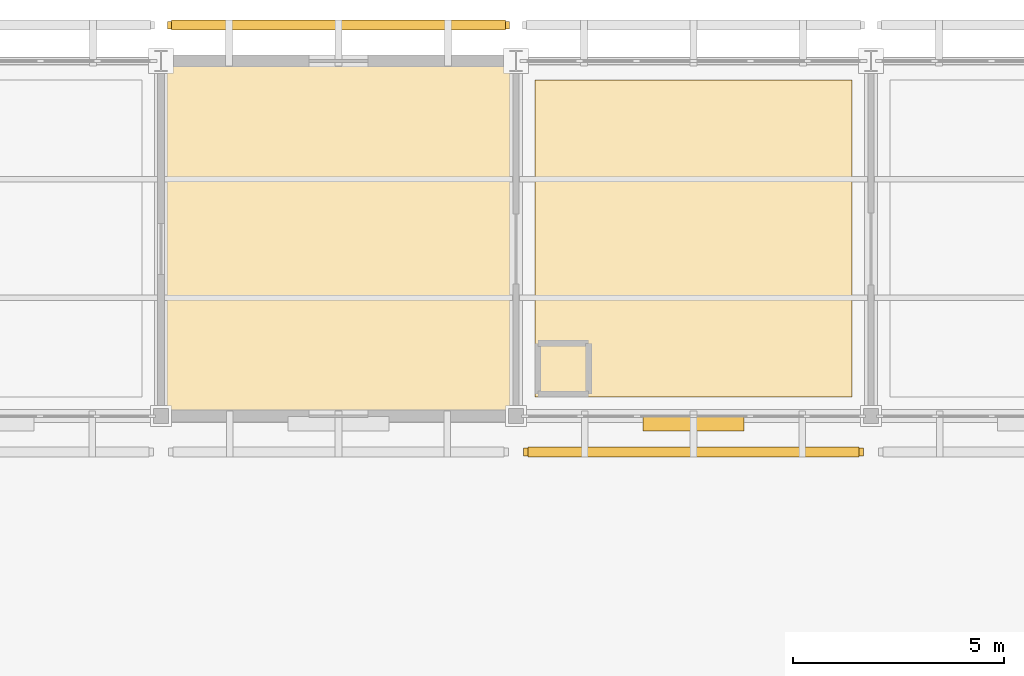
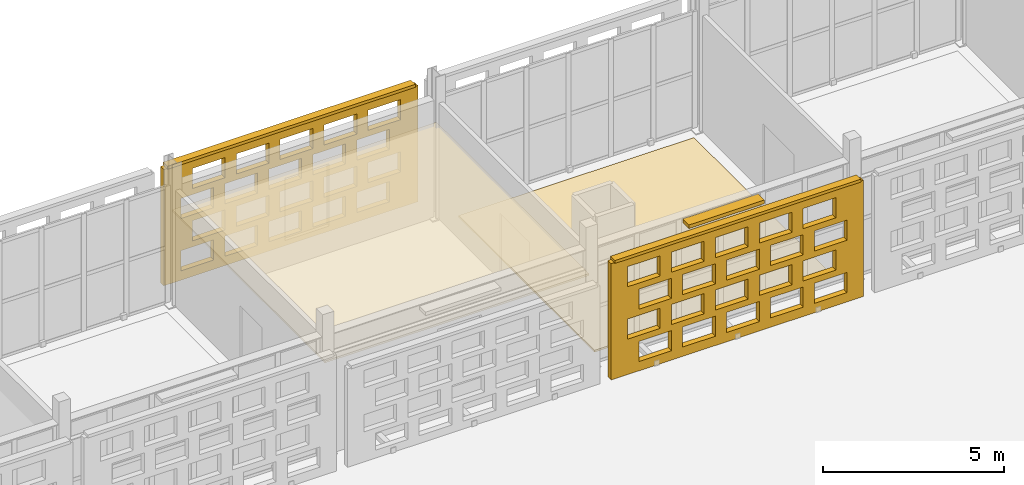
# One storey, part 179 of 203: 4 coverings, 3 shading devices, 40 openings.
"""IFC4 building model written with IfcOpenShell, lengths in metres."""

from ifc_helpers import new_model, si_unit, direction, frame, frame_2d, origin, origin_2d, place, context, subcontext, project, spatial, rectangle, extrude, material, layer, layer_set, type_object, element, save


model = new_model("IFC4")

# Units and contexts
model_context = context("Model", 3, precision=1e-05, world=origin(), true_north=direction((0.0, 1.0)))
body_context = subcontext(model_context, "Body", "Model", "MODEL_VIEW")
ifc_project = project(units=[si_unit("LENGTHUNIT", "METRE"), si_unit("AREAUNIT", "SQUARE_METRE"), si_unit("VOLUMEUNIT", "CUBIC_METRE"), si_unit("PLANEANGLEUNIT", "RADIAN"), si_unit("MASSUNIT", "GRAM", prefix="KILO")], contexts=[model_context])

# Site, building, storey
site_placement = place(None, origin())
site = spatial("IfcSite", under=ifc_project, at=site_placement, CompositionType="ELEMENT")
building_placement = place(site_placement, origin())
building = spatial("IfcBuilding", under=site, at=building_placement, Name="Varnapada Polytechnic", CompositionType="ELEMENT")
storey_placement = place(building_placement, frame((0.0, 0.0, 4.800048828125)))
storey = spatial("IfcBuildingStorey", under=building, at=storey_placement, Name="L01", CompositionType="ELEMENT", Elevation=4.800048828125)

# Covering
ifc_material_1 = material(Name="Anti-Static Raised Laboratory Flooring")
ifc_layer_1 = layer(ifc_material_1, 0.06005859375)
ifc_layer_set_1 = layer_set([ifc_layer_1], Name="Anti-Static Raised Laboratory Flooring")
covering_type_1 = type_object("IfcCoveringType", Name="Floor Finish FLR-02", PredefinedType="FLOORING", material=ifc_layer_set_1)
covering_1_placement = place(storey_placement, frame((105.0, 121.800048828125, 0.0), z_axis=(0.0, 0.0, 1.0), x_axis=(1.0, 0.0, 0.0)))
element("IfcCovering", 1, at=covering_1_placement, inside=storey, type_object=covering_type_1, Name="L01 floor finish panel (13,15)", PredefinedType="FLOORING", context=body_context, shape_type="SweptSolid", body=[
    extrude(rectangle(XDim=7.5, YDim=7.5, at=origin_2d()), origin(), (0.0, 0.0, 1.0), 0.06005859375),
])

# Shading device
ifc_material_2 = material(Name="Anodised aluminium", Category="aluminium")
ifc_layer_2 = layer(ifc_material_2, 0.35009765625)
ifc_layer_set_2 = layer_set([ifc_layer_2], Name="Anodised aluminium")
shading_device_type_1 = type_object("IfcShadingDeviceType", Name="Solar Louvre LVR-01", PredefinedType="JALOUSIE", material=ifc_layer_set_2)
shading_device_1_placement = place(storey_placement, frame((105.0, 117.419921875, 3.760009765625), z_axis=(0.0, 0.0, 1.0), x_axis=(-1.0, 0.0, 0.0)))
element("IfcShadingDevice", 2, at=shading_device_1_placement, inside=storey, type_object=shading_device_type_1, Name="L01 aluminium sun louvre 88", PredefinedType="JALOUSIE", context=body_context, shape_type="SweptSolid", body=[
    extrude(rectangle(XDim=2.39990234375, YDim=0.340087890625, at=origin_2d()), origin(), (0.0, 0.0, 1.0), 0.1201171875),
])

# Covering
ifc_material_3 = material(Name="Deep Acoustic Auditorium Cloud Baffle")
ifc_layer_3 = layer(ifc_material_3, 0.06494140625)
ifc_layer_set_3 = layer_set([ifc_layer_3], Name="Deep Acoustic Auditorium Cloud Baffle")
covering_type_2 = type_object("IfcCoveringType", Name="Suspended Ceiling CLG-07", PredefinedType="CEILING", material=ifc_layer_set_3)
covering_2_placement = place(storey_placement, frame((96.60009765625, 121.800048828125, 3.017578125), z_axis=(0.0, 0.0, 1.0), x_axis=(1.0, 0.0, 0.0)))
element("IfcCovering", 3, at=covering_2_placement, inside=storey, type_object=covering_type_2, Name="L01 suspended acoustic ceiling (12,15)", PredefinedType="CEILING", context=body_context, shape_type="SweptSolid", body=[
    extrude(rectangle(XDim=8.419921875, YDim=8.419921875, at=origin_2d()), origin(), (0.0, 0.0, 1.0), 0.06494140625),
])

# Covering, openings
ifc_material_4 = material(Name="Earth-toned architectural terracotta screen block", Category="masonry")
ifc_layer_4 = layer(ifc_material_4, 0.1201171875)
ifc_layer_set_4 = layer_set([ifc_layer_4], Name="Earth-toned architectural terracotta screen block")
covering_type_3 = type_object("IfcCoveringType", Name="Terracotta Screen Cladding CLD-01", PredefinedType="CLADDING", material=ifc_layer_set_4)
covering_3_placement = place(storey_placement, frame((92.550048828125, 126.85009765625, 0.0), z_axis=(0.0, 0.0, 1.0), x_axis=(1.0, 0.0, 0.0)))
covering_3 = element("IfcCovering", 4, at=covering_3_placement, inside=storey, type_object=covering_type_3, Name="L01 perforated terracotta block screen (83)", PredefinedType="CLADDING", context=body_context, shape_type="SweptSolid", body=[
    extrude(rectangle(XDim=8.099853515625, YDim=0.179931640625, at=frame_2d((4.0498046875, 0.0))), origin(), (0.0, 0.0, 1.0), 3.919921875),
])
opening_1_placement = place(covering_3_placement, frame((0.550048828125, 0.0, 0.313720703125)))
element("IfcOpeningElement", 5, at=opening_1_placement, cuts=covering_3, Name="Screen perforation TBS-L01-082.1", PredefinedType="OPENING", context=body_context, shape_type="SweptSolid", body=[
    extrude(rectangle(XDim=1.0400390625, YDim=0.679931640625, at=frame_2d((0.52001953125, 0.33984375))), frame((0.0, 0.099853515625, 0.0), z_axis=(0.0, -1.0, 0.0), x_axis=(1.0, 0.0, 0.0)), (0.0, 0.0, 1.0), 0.199951171875),
])
opening_2_placement = place(covering_3_placement, frame((1.949951171875, 0.0, 0.313720703125)))
element("IfcOpeningElement", 6, at=opening_2_placement, cuts=covering_3, Name="Screen perforation TBS-L01-082.2", PredefinedType="OPENING", context=body_context, shape_type="SweptSolid", body=[
    extrude(rectangle(XDim=1.0400390625, YDim=0.679931640625, at=frame_2d((0.52001953125, 0.33984375))), frame((0.0, 0.099853515625, 0.0), z_axis=(0.0, -1.0, 0.0), x_axis=(1.0, 0.0, 0.0)), (0.0, 0.0, 1.0), 0.199951171875),
])
opening_3_placement = place(covering_3_placement, frame((3.35009765625, 0.0, 0.313720703125)))
element("IfcOpeningElement", 7, at=opening_3_placement, cuts=covering_3, Name="Screen perforation TBS-L01-082.3", PredefinedType="OPENING", context=body_context, shape_type="SweptSolid", body=[
    extrude(rectangle(XDim=1.0400390625, YDim=0.679931640625, at=frame_2d((0.52001953125, 0.33984375))), frame((0.0, 0.099853515625, 0.0), z_axis=(0.0, -1.0, 0.0), x_axis=(1.0, 0.0, 0.0)), (0.0, 0.0, 1.0), 0.199951171875),
])
opening_4_placement = place(covering_3_placement, frame((4.75, 0.0, 0.313720703125)))
element("IfcOpeningElement", 8, at=opening_4_placement, cuts=covering_3, Name="Screen perforation TBS-L01-082.4", PredefinedType="OPENING", context=body_context, shape_type="SweptSolid", body=[
    extrude(rectangle(XDim=1.0400390625, YDim=0.679931640625, at=frame_2d((0.52001953125, 0.33984375))), frame((0.0, 0.099853515625, 0.0), z_axis=(0.0, -1.0, 0.0), x_axis=(1.0, 0.0, 0.0)), (0.0, 0.0, 1.0), 0.199951171875),
])
opening_5_placement = place(covering_3_placement, frame((6.14990234375, 0.0, 0.313720703125)))
element("IfcOpeningElement", 9, at=opening_5_placement, cuts=covering_3, Name="Screen perforation TBS-L01-082.5", PredefinedType="OPENING", context=body_context, shape_type="SweptSolid", body=[
    extrude(rectangle(XDim=1.0400390625, YDim=0.679931640625, at=frame_2d((0.52001953125, 0.33984375))), frame((0.0, 0.099853515625, 0.0), z_axis=(0.0, -1.0, 0.0), x_axis=(1.0, 0.0, 0.0)), (0.0, 0.0, 1.0), 0.199951171875),
])
opening_6_placement = place(covering_3_placement, frame((0.909912109375, 0.0, 1.195556640625)))
element("IfcOpeningElement", 10, at=opening_6_placement, cuts=covering_3, Name="Screen perforation TBS-L01-082.6", PredefinedType="OPENING", context=body_context, shape_type="SweptSolid", body=[
    extrude(rectangle(XDim=1.0400390625, YDim=0.679931640625, at=frame_2d((0.52001953125, 0.33984375))), frame((0.0, 0.099853515625, 0.0), z_axis=(0.0, -1.0, 0.0), x_axis=(1.0, 0.0, 0.0)), (0.0, 0.0, 1.0), 0.199951171875),
])
opening_7_placement = place(covering_3_placement, frame((2.31005859375, 0.0, 1.195556640625)))
element("IfcOpeningElement", 11, at=opening_7_placement, cuts=covering_3, Name="Screen perforation TBS-L01-082.7", PredefinedType="OPENING", context=body_context, shape_type="SweptSolid", body=[
    extrude(rectangle(XDim=1.0400390625, YDim=0.679931640625, at=frame_2d((0.52001953125, 0.33984375))), frame((0.0, 0.099853515625, 0.0), z_axis=(0.0, -1.0, 0.0), x_axis=(1.0, 0.0, 0.0)), (0.0, 0.0, 1.0), 0.199951171875),
])
opening_8_placement = place(covering_3_placement, frame((3.7099609375, 0.0, 1.195556640625)))
element("IfcOpeningElement", 12, at=opening_8_placement, cuts=covering_3, Name="Screen perforation TBS-L01-082.8", PredefinedType="OPENING", context=body_context, shape_type="SweptSolid", body=[
    extrude(rectangle(XDim=1.0400390625, YDim=0.679931640625, at=frame_2d((0.52001953125, 0.33984375))), frame((0.0, 0.099853515625, 0.0), z_axis=(0.0, -1.0, 0.0), x_axis=(1.0, 0.0, 0.0)), (0.0, 0.0, 1.0), 0.199951171875),
])
opening_9_placement = place(covering_3_placement, frame((5.110107421875, 0.0, 1.195556640625)))
element("IfcOpeningElement", 13, at=opening_9_placement, cuts=covering_3, Name="Screen perforation TBS-L01-082.9", PredefinedType="OPENING", context=body_context, shape_type="SweptSolid", body=[
    extrude(rectangle(XDim=1.0400390625, YDim=0.679931640625, at=frame_2d((0.52001953125, 0.33984375))), frame((0.0, 0.099853515625, 0.0), z_axis=(0.0, -1.0, 0.0), x_axis=(1.0, 0.0, 0.0)), (0.0, 0.0, 1.0), 0.199951171875),
])
opening_10_placement = place(covering_3_placement, frame((6.510009765625, 0.0, 1.195556640625)))
element("IfcOpeningElement", 14, at=opening_10_placement, cuts=covering_3, Name="Screen perforation TBS-L01-082.10", PredefinedType="OPENING", context=body_context, shape_type="SweptSolid", body=[
    extrude(rectangle(XDim=1.0400390625, YDim=0.679931640625, at=frame_2d((0.52001953125, 0.33984375))), frame((0.0, 0.099853515625, 0.0), z_axis=(0.0, -1.0, 0.0), x_axis=(1.0, 0.0, 0.0)), (0.0, 0.0, 1.0), 0.199951171875),
])
opening_11_placement = place(covering_3_placement, frame((0.550048828125, 0.0, 2.07763671875)))
element("IfcOpeningElement", 15, at=opening_11_placement, cuts=covering_3, Name="Screen perforation TBS-L01-082.11", PredefinedType="OPENING", context=body_context, shape_type="SweptSolid", body=[
    extrude(rectangle(XDim=1.0400390625, YDim=0.679931640625, at=frame_2d((0.52001953125, 0.33984375))), frame((0.0, 0.099853515625, 0.0), z_axis=(0.0, -1.0, 0.0), x_axis=(1.0, 0.0, 0.0)), (0.0, 0.0, 1.0), 0.199951171875),
])
opening_12_placement = place(covering_3_placement, frame((1.949951171875, 0.0, 2.07763671875)))
element("IfcOpeningElement", 16, at=opening_12_placement, cuts=covering_3, Name="Screen perforation TBS-L01-082.12", PredefinedType="OPENING", context=body_context, shape_type="SweptSolid", body=[
    extrude(rectangle(XDim=1.0400390625, YDim=0.679931640625, at=frame_2d((0.52001953125, 0.33984375))), frame((0.0, 0.099853515625, 0.0), z_axis=(0.0, -1.0, 0.0), x_axis=(1.0, 0.0, 0.0)), (0.0, 0.0, 1.0), 0.199951171875),
])
opening_13_placement = place(covering_3_placement, frame((3.35009765625, 0.0, 2.07763671875)))
element("IfcOpeningElement", 17, at=opening_13_placement, cuts=covering_3, Name="Screen perforation TBS-L01-082.13", PredefinedType="OPENING", context=body_context, shape_type="SweptSolid", body=[
    extrude(rectangle(XDim=1.0400390625, YDim=0.679931640625, at=frame_2d((0.52001953125, 0.33984375))), frame((0.0, 0.099853515625, 0.0), z_axis=(0.0, -1.0, 0.0), x_axis=(1.0, 0.0, 0.0)), (0.0, 0.0, 1.0), 0.199951171875),
])
opening_14_placement = place(covering_3_placement, frame((4.75, 0.0, 2.07763671875)))
element("IfcOpeningElement", 18, at=opening_14_placement, cuts=covering_3, Name="Screen perforation TBS-L01-082.14", PredefinedType="OPENING", context=body_context, shape_type="SweptSolid", body=[
    extrude(rectangle(XDim=1.0400390625, YDim=0.679931640625, at=frame_2d((0.52001953125, 0.33984375))), frame((0.0, 0.099853515625, 0.0), z_axis=(0.0, -1.0, 0.0), x_axis=(1.0, 0.0, 0.0)), (0.0, 0.0, 1.0), 0.199951171875),
])
opening_15_placement = place(covering_3_placement, frame((6.14990234375, 0.0, 2.07763671875)))
element("IfcOpeningElement", 19, at=opening_15_placement, cuts=covering_3, Name="Screen perforation TBS-L01-082.15", PredefinedType="OPENING", context=body_context, shape_type="SweptSolid", body=[
    extrude(rectangle(XDim=1.0400390625, YDim=0.679931640625, at=frame_2d((0.52001953125, 0.33984375))), frame((0.0, 0.099853515625, 0.0), z_axis=(0.0, -1.0, 0.0), x_axis=(1.0, 0.0, 0.0)), (0.0, 0.0, 1.0), 0.199951171875),
])
opening_16_placement = place(covering_3_placement, frame((0.909912109375, 0.0, 2.959716796875)))
element("IfcOpeningElement", 20, at=opening_16_placement, cuts=covering_3, Name="Screen perforation TBS-L01-082.16", PredefinedType="OPENING", context=body_context, shape_type="SweptSolid", body=[
    extrude(rectangle(XDim=1.0400390625, YDim=0.679931640625, at=frame_2d((0.52001953125, 0.33984375))), frame((0.0, 0.099853515625, 0.0), z_axis=(0.0, -1.0, 0.0), x_axis=(1.0, 0.0, 0.0)), (0.0, 0.0, 1.0), 0.199951171875),
])
opening_17_placement = place(covering_3_placement, frame((2.31005859375, 0.0, 2.959716796875)))
element("IfcOpeningElement", 21, at=opening_17_placement, cuts=covering_3, Name="Screen perforation TBS-L01-082.17", PredefinedType="OPENING", context=body_context, shape_type="SweptSolid", body=[
    extrude(rectangle(XDim=1.0400390625, YDim=0.679931640625, at=frame_2d((0.52001953125, 0.33984375))), frame((0.0, 0.099853515625, 0.0), z_axis=(0.0, -1.0, 0.0), x_axis=(1.0, 0.0, 0.0)), (0.0, 0.0, 1.0), 0.199951171875),
])
opening_18_placement = place(covering_3_placement, frame((3.7099609375, 0.0, 2.959716796875)))
element("IfcOpeningElement", 22, at=opening_18_placement, cuts=covering_3, Name="Screen perforation TBS-L01-082.18", PredefinedType="OPENING", context=body_context, shape_type="SweptSolid", body=[
    extrude(rectangle(XDim=1.0400390625, YDim=0.679931640625, at=frame_2d((0.52001953125, 0.33984375))), frame((0.0, 0.099853515625, 0.0), z_axis=(0.0, -1.0, 0.0), x_axis=(1.0, 0.0, 0.0)), (0.0, 0.0, 1.0), 0.199951171875),
])
opening_19_placement = place(covering_3_placement, frame((5.110107421875, 0.0, 2.959716796875)))
element("IfcOpeningElement", 23, at=opening_19_placement, cuts=covering_3, Name="Screen perforation TBS-L01-082.19", PredefinedType="OPENING", context=body_context, shape_type="SweptSolid", body=[
    extrude(rectangle(XDim=1.0400390625, YDim=0.679931640625, at=frame_2d((0.52001953125, 0.33984375))), frame((0.0, 0.099853515625, 0.0), z_axis=(0.0, -1.0, 0.0), x_axis=(1.0, 0.0, 0.0)), (0.0, 0.0, 1.0), 0.199951171875),
])
opening_20_placement = place(covering_3_placement, frame((6.510009765625, 0.0, 2.959716796875)))
element("IfcOpeningElement", 24, at=opening_20_placement, cuts=covering_3, Name="Screen perforation TBS-L01-082.20", PredefinedType="OPENING", context=body_context, shape_type="SweptSolid", body=[
    extrude(rectangle(XDim=1.0400390625, YDim=0.679931640625, at=frame_2d((0.52001953125, 0.33984375))), frame((0.0, 0.099853515625, 0.0), z_axis=(0.0, -1.0, 0.0), x_axis=(1.0, 0.0, 0.0)), (0.0, 0.0, 1.0), 0.199951171875),
])

covering_4_placement = place(storey_placement, frame((109.02001953125, 116.75, 0.0), z_axis=(0.0, 0.0, 1.0), x_axis=(-1.0, 0.0, 0.0)))
covering_4 = element("IfcCovering", 25, at=covering_4_placement, inside=storey, type_object=covering_type_3, Name="L01 perforated terracotta block screen (88)", PredefinedType="CLADDING", context=body_context, shape_type="SweptSolid", body=[
    extrude(rectangle(XDim=8.0400390625, YDim=0.179931640625, at=frame_2d((4.02001953125, 0.0))), origin(), (0.0, 0.0, 1.0), 3.919921875),
])
opening_21_placement = place(covering_4_placement, frame((0.52001953125, 0.0, 0.313720703125)))
element("IfcOpeningElement", 26, at=opening_21_placement, cuts=covering_4, Name="Screen perforation TBS-L01-087.1", PredefinedType="OPENING", context=body_context, shape_type="SweptSolid", body=[
    extrude(rectangle(XDim=1.0400390625, YDim=0.679931640625, at=frame_2d((0.52001953125, 0.33984375))), frame((0.0, 0.099853515625, 0.0), z_axis=(0.0, -1.0, 0.0), x_axis=(1.0, 0.0, 0.0)), (0.0, 0.0, 1.0), 0.199951171875),
])
opening_22_placement = place(covering_4_placement, frame((1.919921875, 0.0, 0.313720703125)))
element("IfcOpeningElement", 27, at=opening_22_placement, cuts=covering_4, Name="Screen perforation TBS-L01-087.2", PredefinedType="OPENING", context=body_context, shape_type="SweptSolid", body=[
    extrude(rectangle(XDim=1.0400390625, YDim=0.679931640625, at=frame_2d((0.52001953125, 0.33984375))), frame((0.0, 0.099853515625, 0.0), z_axis=(0.0, -1.0, 0.0), x_axis=(1.0, 0.0, 0.0)), (0.0, 0.0, 1.0), 0.199951171875),
])
opening_23_placement = place(covering_4_placement, frame((3.320068359375, 0.0, 0.313720703125)))
element("IfcOpeningElement", 28, at=opening_23_placement, cuts=covering_4, Name="Screen perforation TBS-L01-087.3", PredefinedType="OPENING", context=body_context, shape_type="SweptSolid", body=[
    extrude(rectangle(XDim=1.0400390625, YDim=0.679931640625, at=frame_2d((0.52001953125, 0.33984375))), frame((0.0, 0.099853515625, 0.0), z_axis=(0.0, -1.0, 0.0), x_axis=(1.0, 0.0, 0.0)), (0.0, 0.0, 1.0), 0.199951171875),
])
opening_24_placement = place(covering_4_placement, frame((4.719970703125, 0.0, 0.313720703125)))
element("IfcOpeningElement", 29, at=opening_24_placement, cuts=covering_4, Name="Screen perforation TBS-L01-087.4", PredefinedType="OPENING", context=body_context, shape_type="SweptSolid", body=[
    extrude(rectangle(XDim=1.0400390625, YDim=0.679931640625, at=frame_2d((0.52001953125, 0.33984375))), frame((0.0, 0.099853515625, 0.0), z_axis=(0.0, -1.0, 0.0), x_axis=(1.0, 0.0, 0.0)), (0.0, 0.0, 1.0), 0.199951171875),
])
opening_25_placement = place(covering_4_placement, frame((6.1201171875, 0.0, 0.313720703125)))
element("IfcOpeningElement", 30, at=opening_25_placement, cuts=covering_4, Name="Screen perforation TBS-L01-087.5", PredefinedType="OPENING", context=body_context, shape_type="SweptSolid", body=[
    extrude(rectangle(XDim=1.0400390625, YDim=0.679931640625, at=frame_2d((0.52001953125, 0.33984375))), frame((0.0, 0.099853515625, 0.0), z_axis=(0.0, -1.0, 0.0), x_axis=(1.0, 0.0, 0.0)), (0.0, 0.0, 1.0), 0.199951171875),
])
opening_26_placement = place(covering_4_placement, frame((0.8798828125, 0.0, 1.195556640625)))
element("IfcOpeningElement", 31, at=opening_26_placement, cuts=covering_4, Name="Screen perforation TBS-L01-087.6", PredefinedType="OPENING", context=body_context, shape_type="SweptSolid", body=[
    extrude(rectangle(XDim=1.0400390625, YDim=0.679931640625, at=frame_2d((0.52001953125, 0.33984375))), frame((0.0, 0.099853515625, 0.0), z_axis=(0.0, -1.0, 0.0), x_axis=(1.0, 0.0, 0.0)), (0.0, 0.0, 1.0), 0.199951171875),
])
opening_27_placement = place(covering_4_placement, frame((2.280029296875, 0.0, 1.195556640625)))
element("IfcOpeningElement", 32, at=opening_27_placement, cuts=covering_4, Name="Screen perforation TBS-L01-087.7", PredefinedType="OPENING", context=body_context, shape_type="SweptSolid", body=[
    extrude(rectangle(XDim=1.0400390625, YDim=0.679931640625, at=frame_2d((0.52001953125, 0.33984375))), frame((0.0, 0.099853515625, 0.0), z_axis=(0.0, -1.0, 0.0), x_axis=(1.0, 0.0, 0.0)), (0.0, 0.0, 1.0), 0.199951171875),
])
opening_28_placement = place(covering_4_placement, frame((3.679931640625, 0.0, 1.195556640625)))
element("IfcOpeningElement", 33, at=opening_28_placement, cuts=covering_4, Name="Screen perforation TBS-L01-087.8", PredefinedType="OPENING", context=body_context, shape_type="SweptSolid", body=[
    extrude(rectangle(XDim=1.0400390625, YDim=0.679931640625, at=frame_2d((0.52001953125, 0.33984375))), frame((0.0, 0.099853515625, 0.0), z_axis=(0.0, -1.0, 0.0), x_axis=(1.0, 0.0, 0.0)), (0.0, 0.0, 1.0), 0.199951171875),
])
opening_29_placement = place(covering_4_placement, frame((5.080078125, 0.0, 1.195556640625)))
element("IfcOpeningElement", 34, at=opening_29_placement, cuts=covering_4, Name="Screen perforation TBS-L01-087.9", PredefinedType="OPENING", context=body_context, shape_type="SweptSolid", body=[
    extrude(rectangle(XDim=1.0400390625, YDim=0.679931640625, at=frame_2d((0.52001953125, 0.33984375))), frame((0.0, 0.099853515625, 0.0), z_axis=(0.0, -1.0, 0.0), x_axis=(1.0, 0.0, 0.0)), (0.0, 0.0, 1.0), 0.199951171875),
])
opening_30_placement = place(covering_4_placement, frame((6.47998046875, 0.0, 1.195556640625)))
element("IfcOpeningElement", 35, at=opening_30_placement, cuts=covering_4, Name="Screen perforation TBS-L01-087.10", PredefinedType="OPENING", context=body_context, shape_type="SweptSolid", body=[
    extrude(rectangle(XDim=1.0400390625, YDim=0.679931640625, at=frame_2d((0.52001953125, 0.33984375))), frame((0.0, 0.099853515625, 0.0), z_axis=(0.0, -1.0, 0.0), x_axis=(1.0, 0.0, 0.0)), (0.0, 0.0, 1.0), 0.199951171875),
])
opening_31_placement = place(covering_4_placement, frame((0.52001953125, 0.0, 2.07763671875)))
element("IfcOpeningElement", 36, at=opening_31_placement, cuts=covering_4, Name="Screen perforation TBS-L01-087.11", PredefinedType="OPENING", context=body_context, shape_type="SweptSolid", body=[
    extrude(rectangle(XDim=1.0400390625, YDim=0.679931640625, at=frame_2d((0.52001953125, 0.33984375))), frame((0.0, 0.099853515625, 0.0), z_axis=(0.0, -1.0, 0.0), x_axis=(1.0, 0.0, 0.0)), (0.0, 0.0, 1.0), 0.199951171875),
])
opening_32_placement = place(covering_4_placement, frame((1.919921875, 0.0, 2.07763671875)))
element("IfcOpeningElement", 37, at=opening_32_placement, cuts=covering_4, Name="Screen perforation TBS-L01-087.12", PredefinedType="OPENING", context=body_context, shape_type="SweptSolid", body=[
    extrude(rectangle(XDim=1.0400390625, YDim=0.679931640625, at=frame_2d((0.52001953125, 0.33984375))), frame((0.0, 0.099853515625, 0.0), z_axis=(0.0, -1.0, 0.0), x_axis=(1.0, 0.0, 0.0)), (0.0, 0.0, 1.0), 0.199951171875),
])
opening_33_placement = place(covering_4_placement, frame((3.320068359375, 0.0, 2.07763671875)))
element("IfcOpeningElement", 38, at=opening_33_placement, cuts=covering_4, Name="Screen perforation TBS-L01-087.13", PredefinedType="OPENING", context=body_context, shape_type="SweptSolid", body=[
    extrude(rectangle(XDim=1.0400390625, YDim=0.679931640625, at=frame_2d((0.52001953125, 0.33984375))), frame((0.0, 0.099853515625, 0.0), z_axis=(0.0, -1.0, 0.0), x_axis=(1.0, 0.0, 0.0)), (0.0, 0.0, 1.0), 0.199951171875),
])
opening_34_placement = place(covering_4_placement, frame((4.719970703125, 0.0, 2.07763671875)))
element("IfcOpeningElement", 39, at=opening_34_placement, cuts=covering_4, Name="Screen perforation TBS-L01-087.14", PredefinedType="OPENING", context=body_context, shape_type="SweptSolid", body=[
    extrude(rectangle(XDim=1.0400390625, YDim=0.679931640625, at=frame_2d((0.52001953125, 0.33984375))), frame((0.0, 0.099853515625, 0.0), z_axis=(0.0, -1.0, 0.0), x_axis=(1.0, 0.0, 0.0)), (0.0, 0.0, 1.0), 0.199951171875),
])
opening_35_placement = place(covering_4_placement, frame((6.1201171875, 0.0, 2.07763671875)))
element("IfcOpeningElement", 40, at=opening_35_placement, cuts=covering_4, Name="Screen perforation TBS-L01-087.15", PredefinedType="OPENING", context=body_context, shape_type="SweptSolid", body=[
    extrude(rectangle(XDim=1.0400390625, YDim=0.679931640625, at=frame_2d((0.52001953125, 0.33984375))), frame((0.0, 0.099853515625, 0.0), z_axis=(0.0, -1.0, 0.0), x_axis=(1.0, 0.0, 0.0)), (0.0, 0.0, 1.0), 0.199951171875),
])
opening_36_placement = place(covering_4_placement, frame((0.8798828125, 0.0, 2.959716796875)))
element("IfcOpeningElement", 41, at=opening_36_placement, cuts=covering_4, Name="Screen perforation TBS-L01-087.16", PredefinedType="OPENING", context=body_context, shape_type="SweptSolid", body=[
    extrude(rectangle(XDim=1.0400390625, YDim=0.679931640625, at=frame_2d((0.52001953125, 0.33984375))), frame((0.0, 0.099853515625, 0.0), z_axis=(0.0, -1.0, 0.0), x_axis=(1.0, 0.0, 0.0)), (0.0, 0.0, 1.0), 0.199951171875),
])
opening_37_placement = place(covering_4_placement, frame((2.280029296875, 0.0, 2.959716796875)))
element("IfcOpeningElement", 42, at=opening_37_placement, cuts=covering_4, Name="Screen perforation TBS-L01-087.17", PredefinedType="OPENING", context=body_context, shape_type="SweptSolid", body=[
    extrude(rectangle(XDim=1.0400390625, YDim=0.679931640625, at=frame_2d((0.52001953125, 0.33984375))), frame((0.0, 0.099853515625, 0.0), z_axis=(0.0, -1.0, 0.0), x_axis=(1.0, 0.0, 0.0)), (0.0, 0.0, 1.0), 0.199951171875),
])
opening_38_placement = place(covering_4_placement, frame((3.679931640625, 0.0, 2.959716796875)))
element("IfcOpeningElement", 43, at=opening_38_placement, cuts=covering_4, Name="Screen perforation TBS-L01-087.18", PredefinedType="OPENING", context=body_context, shape_type="SweptSolid", body=[
    extrude(rectangle(XDim=1.0400390625, YDim=0.679931640625, at=frame_2d((0.52001953125, 0.33984375))), frame((0.0, 0.099853515625, 0.0), z_axis=(0.0, -1.0, 0.0), x_axis=(1.0, 0.0, 0.0)), (0.0, 0.0, 1.0), 0.199951171875),
])
opening_39_placement = place(covering_4_placement, frame((5.080078125, 0.0, 2.959716796875)))
element("IfcOpeningElement", 44, at=opening_39_placement, cuts=covering_4, Name="Screen perforation TBS-L01-087.19", PredefinedType="OPENING", context=body_context, shape_type="SweptSolid", body=[
    extrude(rectangle(XDim=1.0400390625, YDim=0.679931640625, at=frame_2d((0.52001953125, 0.33984375))), frame((0.0, 0.099853515625, 0.0), z_axis=(0.0, -1.0, 0.0), x_axis=(1.0, 0.0, 0.0)), (0.0, 0.0, 1.0), 0.199951171875),
])
opening_40_placement = place(covering_4_placement, frame((6.47998046875, 0.0, 2.959716796875)))
element("IfcOpeningElement", 45, at=opening_40_placement, cuts=covering_4, Name="Screen perforation TBS-L01-087.20", PredefinedType="OPENING", context=body_context, shape_type="SweptSolid", body=[
    extrude(rectangle(XDim=1.0400390625, YDim=0.679931640625, at=frame_2d((0.52001953125, 0.33984375))), frame((0.0, 0.099853515625, 0.0), z_axis=(0.0, -1.0, 0.0), x_axis=(1.0, 0.0, 0.0)), (0.0, 0.0, 1.0), 0.199951171875),
])

# Shading devices
ifc_layer_5 = layer(ifc_material_4, 0.179931640625)
ifc_layer_set_5 = layer_set([ifc_layer_5], Name="Earth-toned architectural terracotta screen block")
shading_device_type_2 = type_object("IfcShadingDeviceType", Name="Terracotta Screen SCR-02", PredefinedType="USERDEFINED", material=ifc_layer_set_5)
shading_device_2_placement = place(storey_placement, frame((96.60009765625, 126.85009765625, 3.909912109375), z_axis=(0.0, 0.0, 1.0), x_axis=(1.0, 0.0, 0.0)))
element("IfcShadingDevice", 46, at=shading_device_2_placement, inside=storey, type_object=shading_device_type_2, Name="L01 perforated terracotta screen hood 162", ObjectType="SCREEN", PredefinedType="USERDEFINED", context=body_context, shape_type="SweptSolid", body=[
    extrude(rectangle(XDim=7.89990234375, YDim=0.239990234375, at=origin_2d()), origin(), (0.0, 0.0, 1.0), 0.10009765625),
])
shading_device_3_placement = place(storey_placement, frame((105.0, 116.75, 3.909912109375), z_axis=(0.0, 0.0, 1.0), x_axis=(-1.0, 0.0, 0.0)))
element("IfcShadingDevice", 47, at=shading_device_3_placement, inside=storey, type_object=shading_device_type_2, Name="L01 perforated terracotta screen hood 167", ObjectType="SCREEN", PredefinedType="USERDEFINED", context=body_context, shape_type="SweptSolid", body=[
    extrude(rectangle(XDim=7.840087890625, YDim=0.239990234375, at=origin_2d()), origin(), (0.0, 0.0, 1.0), 0.10009765625),
])

save(model, "model.ifc")
